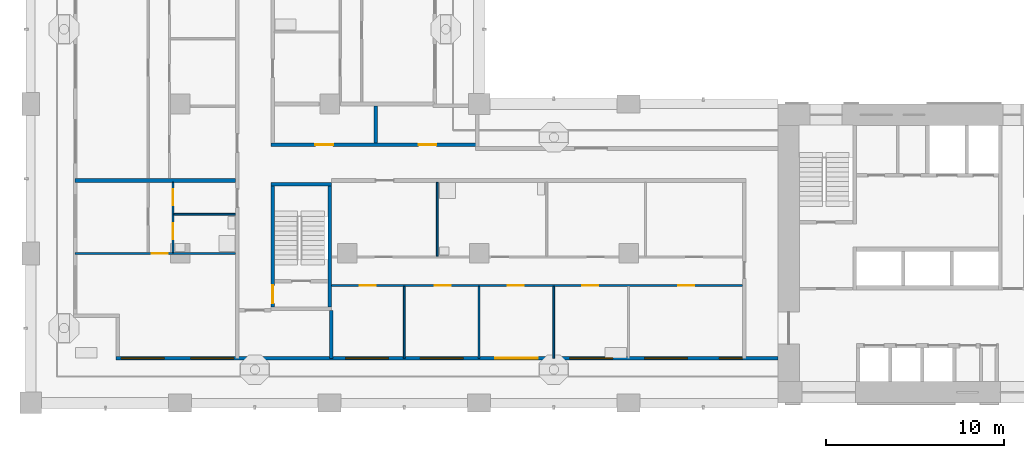
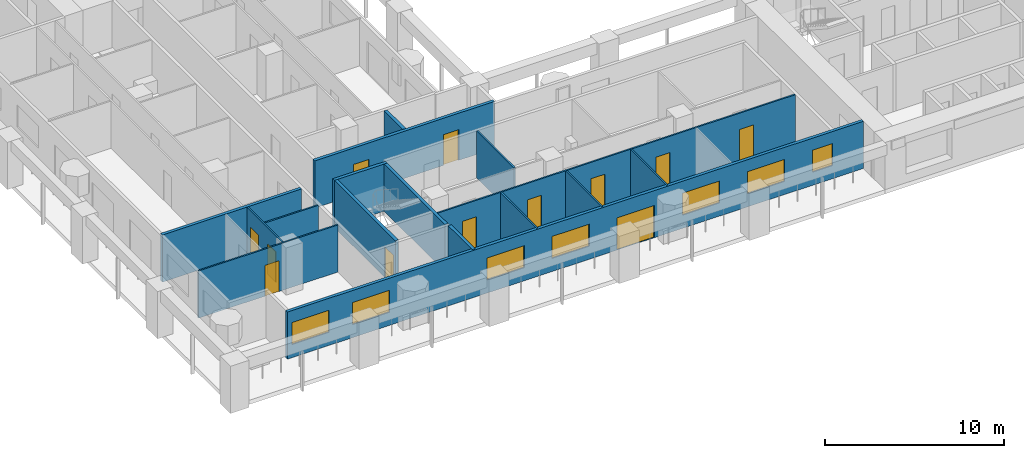
# One storey, part 2 of 18: 16 walls, 12 doors, 7 windows, 19 openings.
"""IFC4 building model written with IfcOpenShell, lengths in metres."""

from ifc_helpers import new_model, si_unit, direction, frame, frame_2d, origin, place, context, subcontext, project, spatial, rectangle, extrude, material, layer, layer_set, type_object, element, fill, save


model = new_model("IFC4")

# Units and contexts
model_context = context("Model", 3, precision=1e-05, world=origin(), true_north=direction((0.0, 1.0)))
body_context = subcontext(model_context, "Body", "Model", "MODEL_VIEW")
ifc_project = project(units=[si_unit("LENGTHUNIT", "METRE"), si_unit("AREAUNIT", "SQUARE_METRE"), si_unit("VOLUMEUNIT", "CUBIC_METRE"), si_unit("PLANEANGLEUNIT", "RADIAN"), si_unit("MASSUNIT", "GRAM", prefix="KILO")], contexts=[model_context])

# Site, building, storey
site_placement = place(None, origin())
site = spatial("IfcSite", under=ifc_project, at=site_placement, CompositionType="ELEMENT")
building_placement = place(site_placement, origin())
building = spatial("IfcBuilding", under=site, at=building_placement, Name="Vermilion Gate Residences", CompositionType="ELEMENT")
storey_placement = place(building_placement, frame((0.0, 0.0, 105.699951171875)))
storey = spatial("IfcBuildingStorey", under=building, at=storey_placement, Name="L26", CompositionType="ELEMENT", Elevation=105.699951171875)

# Wall, openings, door, windows
ifc_material_1 = material(Name="Insulated steel stud wall with terracotta rainscreen", Category="masonry")
ifc_layer_1 = layer(ifc_material_1, 0.199951171875)
ifc_layer_set_1 = layer_set([ifc_layer_1], Name="EXTERNAL WALL 200 TERRACOTTA RAINSCREEN")
wall_type_1 = type_object("IfcWallType", Name="EXTERNAL WALL 200 TERRACOTTA RAINSCREEN", PredefinedType="SOLIDWALL", material=ifc_layer_set_1)
wall_1_placement = place(storey_placement, frame((4.800048828125, 10.89990234375, 0.0), z_axis=(0.0, 0.0, 1.0), x_axis=(1.0, 0.0, 0.0)))
wall_1 = element("IfcWall", 1, at=wall_1_placement, inside=storey, type_object=wall_type_1, Name="External wall", PredefinedType="SOLIDWALL", context=body_context, shape_type="SweptSolid", body=[
    extrude(rectangle(XDim=37.199951171875, YDim=0.199951171875, at=frame_2d((18.60009765625, 0.0))), origin(), (0.0, 0.0, 1.0), 3.219970703125),
])
opening_1_placement = place(wall_1_placement, frame((0.300048828125, 0.0, 0.89990234375)))
opening_1 = element("IfcOpeningElement", 2, at=opening_1_placement, cuts=wall_1, Name="Opening WE26012", PredefinedType="OPENING", context=body_context, shape_type="SweptSolid", body=[
    extrude(rectangle(XDim=2.39990234375, YDim=1.5, at=frame_2d((1.199951171875, 0.75))), frame((0.0, 0.10986328125, 0.0), z_axis=(0.0, -1.0, 0.0), x_axis=(1.0, 0.0, 0.0)), (0.0, 0.0, 1.0), 0.219970703125),
])
opening_2_placement = place(wall_1_placement, frame((4.199951171875, 0.0, 0.89990234375)))
opening_2 = element("IfcOpeningElement", 3, at=opening_2_placement, cuts=wall_1, Name="Opening WE26013", PredefinedType="OPENING", context=body_context, shape_type="SweptSolid", body=[
    extrude(rectangle(XDim=2.39990234375, YDim=1.5, at=frame_2d((1.199951171875, 0.75))), frame((0.0, 0.10986328125, 0.0), z_axis=(0.0, -1.0, 0.0), x_axis=(1.0, 0.0, 0.0)), (0.0, 0.0, 1.0), 0.219970703125),
])
opening_3_placement = place(wall_1_placement, frame((12.89990234375, 0.0, 0.89990234375)))
opening_3 = element("IfcOpeningElement", 4, at=opening_3_placement, cuts=wall_1, Name="Opening WE26014", PredefinedType="OPENING", context=body_context, shape_type="SweptSolid", body=[
    extrude(rectangle(XDim=2.39990234375, YDim=1.5, at=frame_2d((1.199951171875, 0.75))), frame((0.0, 0.10986328125, 0.0), z_axis=(0.0, -1.0, 0.0), x_axis=(1.0, 0.0, 0.0)), (0.0, 0.0, 1.0), 0.219970703125),
])
opening_4_placement = place(wall_1_placement, frame((17.10009765625, 0.0, 0.89990234375)))
opening_4 = element("IfcOpeningElement", 5, at=opening_4_placement, cuts=wall_1, Name="Opening WE26015", PredefinedType="OPENING", context=body_context, shape_type="SweptSolid", body=[
    extrude(rectangle(XDim=2.39990234375, YDim=1.5, at=frame_2d((1.199951171875, 0.75))), frame((0.0, 0.10986328125, 0.0), z_axis=(0.0, -1.0, 0.0), x_axis=(1.0, 0.0, 0.0)), (0.0, 0.0, 1.0), 0.219970703125),
])
opening_5_placement = place(wall_1_placement, frame((21.300048828125, 0.0, 0.0)))
opening_5 = element("IfcOpeningElement", 6, at=opening_5_placement, cuts=wall_1, Name="Opening DE26016", PredefinedType="OPENING", context=body_context, shape_type="SweptSolid", body=[
    extrude(rectangle(XDim=2.39990234375, YDim=2.199951171875, at=frame_2d((1.199951171875, 1.10009765625))), frame((0.0, 0.10986328125, 0.0), z_axis=(0.0, -1.0, 0.0), x_axis=(1.0, 0.0, 0.0)), (0.0, 0.0, 1.0), 0.219970703125),
])
opening_6_placement = place(wall_1_placement, frame((25.5, 0.0, 0.89990234375)))
opening_6 = element("IfcOpeningElement", 7, at=opening_6_placement, cuts=wall_1, Name="Opening WE26017", PredefinedType="OPENING", context=body_context, shape_type="SweptSolid", body=[
    extrude(rectangle(XDim=2.39990234375, YDim=1.5, at=frame_2d((1.199951171875, 0.75))), frame((0.0, 0.10986328125, 0.0), z_axis=(0.0, -1.0, 0.0), x_axis=(1.0, 0.0, 0.0)), (0.0, 0.0, 1.0), 0.219970703125),
])
opening_7_placement = place(wall_1_placement, frame((29.699951171875, 0.0, 0.89990234375)))
opening_7 = element("IfcOpeningElement", 8, at=opening_7_placement, cuts=wall_1, Name="Opening WE26018", PredefinedType="OPENING", context=body_context, shape_type="SweptSolid", body=[
    extrude(rectangle(XDim=2.39990234375, YDim=1.5, at=frame_2d((1.199951171875, 0.75))), frame((0.0, 0.10986328125, 0.0), z_axis=(0.0, -1.0, 0.0), x_axis=(1.0, 0.0, 0.0)), (0.0, 0.0, 1.0), 0.219970703125),
])
opening_8_placement = place(wall_1_placement, frame((33.89990234375, 0.0, 0.89990234375)))
opening_8 = element("IfcOpeningElement", 9, at=opening_8_placement, cuts=wall_1, Name="Opening WE26019", PredefinedType="OPENING", context=body_context, shape_type="SweptSolid", body=[
    extrude(rectangle(XDim=1.300048828125, YDim=1.5, at=frame_2d((0.64990234375, 0.75))), frame((0.0, 0.10986328125, 0.0), z_axis=(0.0, -1.0, 0.0), x_axis=(1.0, 0.0, 0.0)), (0.0, 0.0, 1.0), 0.219970703125),
])
ifc_material_2 = material(Name="Aluminium and clear glass", Category="aluminium")
door_type_1 = type_object("IfcDoorType", Name="SLIDING GLAZED DOOR 2400 X 2200", OperationType="DOUBLE_DOOR_SLIDING", PredefinedType="DOOR", material=ifc_material_2)
door_1_placement = place(opening_5_placement, origin())
door_1 = element("IfcDoor", 10, at=door_1_placement, inside=storey, type_object=door_type_1, Name="Loggia sliding door", OperationType="DOUBLE_DOOR_SLIDING", OverallHeight=2.199951171875, OverallWidth=2.39990234375, PredefinedType="DOOR", context=body_context, shape_type="SweptSolid", body=[
    extrude(rectangle(XDim=2.39990234375, YDim=2.199951171875, at=frame_2d((1.199951171875, 1.10009765625))), frame((0.0, 0.02490234375, 0.0), z_axis=(0.0, -1.0, 0.0), x_axis=(1.0, 0.0, 0.0)), (0.0, 0.0, 1.0), 0.050048828125),
])
fill(opening_5, door_1)
ifc_material_3 = material(Name="Aluminium and clear glass", Category="aluminium")
window_type_1 = type_object("IfcWindowType", Name="WINDOW 1300 X 1500", PartitioningType="SINGLE_PANEL", PredefinedType="WINDOW", material=ifc_material_3)
window_1_placement = place(opening_8_placement, origin())
window_1 = element("IfcWindow", 11, at=window_1_placement, inside=storey, type_object=window_type_1, Name="Window", OverallHeight=1.5, OverallWidth=1.300048828125, PartitioningType="SINGLE_PANEL", PredefinedType="WINDOW", context=body_context, shape_type="SweptSolid", body=[
    extrude(rectangle(XDim=1.300048828125, YDim=1.5, at=frame_2d((0.64990234375, 0.75))), frame((0.0, 0.030029296875, 0.0), z_axis=(0.0, -1.0, 0.0), x_axis=(1.0, 0.0, 0.0)), (0.0, 0.0, 1.0), 0.06005859375),
])
fill(opening_8, window_1)
ifc_material_4 = material(Name="Aluminium and clear glass", Category="aluminium")
window_type_2 = type_object("IfcWindowType", Name="WINDOW 2400 X 1500", PartitioningType="SINGLE_PANEL", PredefinedType="WINDOW", material=ifc_material_4)
window_2_placement = place(opening_1_placement, origin())
window_2 = element("IfcWindow", 12, at=window_2_placement, inside=storey, type_object=window_type_2, Name="Window", OverallHeight=1.5, OverallWidth=2.39990234375, PartitioningType="SINGLE_PANEL", PredefinedType="WINDOW", context=body_context, shape_type="SweptSolid", body=[
    extrude(rectangle(XDim=2.39990234375, YDim=1.5, at=frame_2d((1.199951171875, 0.75))), frame((0.0, 0.030029296875, 0.0), z_axis=(0.0, -1.0, 0.0), x_axis=(1.0, 0.0, 0.0)), (0.0, 0.0, 1.0), 0.06005859375),
])
fill(opening_1, window_2)
window_3_placement = place(opening_2_placement, origin())
window_3 = element("IfcWindow", 13, at=window_3_placement, inside=storey, type_object=window_type_2, Name="Window", OverallHeight=1.5, OverallWidth=2.39990234375, PartitioningType="SINGLE_PANEL", PredefinedType="WINDOW", context=body_context, shape_type="SweptSolid", body=[
    extrude(rectangle(XDim=2.39990234375, YDim=1.5, at=frame_2d((1.199951171875, 0.75))), frame((0.0, 0.030029296875, 0.0), z_axis=(0.0, -1.0, 0.0), x_axis=(1.0, 0.0, 0.0)), (0.0, 0.0, 1.0), 0.06005859375),
])
fill(opening_2, window_3)
window_4_placement = place(opening_3_placement, origin())
window_4 = element("IfcWindow", 14, at=window_4_placement, inside=storey, type_object=window_type_2, Name="Window", OverallHeight=1.5, OverallWidth=2.39990234375, PartitioningType="SINGLE_PANEL", PredefinedType="WINDOW", context=body_context, shape_type="SweptSolid", body=[
    extrude(rectangle(XDim=2.39990234375, YDim=1.5, at=frame_2d((1.199951171875, 0.75))), frame((0.0, 0.030029296875, 0.0), z_axis=(0.0, -1.0, 0.0), x_axis=(1.0, 0.0, 0.0)), (0.0, 0.0, 1.0), 0.06005859375),
])
fill(opening_3, window_4)
window_5_placement = place(opening_4_placement, origin())
window_5 = element("IfcWindow", 15, at=window_5_placement, inside=storey, type_object=window_type_2, Name="Window", OverallHeight=1.5, OverallWidth=2.39990234375, PartitioningType="SINGLE_PANEL", PredefinedType="WINDOW", context=body_context, shape_type="SweptSolid", body=[
    extrude(rectangle(XDim=2.39990234375, YDim=1.5, at=frame_2d((1.199951171875, 0.75))), frame((0.0, 0.030029296875, 0.0), z_axis=(0.0, -1.0, 0.0), x_axis=(1.0, 0.0, 0.0)), (0.0, 0.0, 1.0), 0.06005859375),
])
fill(opening_4, window_5)
window_6_placement = place(opening_6_placement, origin())
window_6 = element("IfcWindow", 16, at=window_6_placement, inside=storey, type_object=window_type_2, Name="Window", OverallHeight=1.5, OverallWidth=2.39990234375, PartitioningType="SINGLE_PANEL", PredefinedType="WINDOW", context=body_context, shape_type="SweptSolid", body=[
    extrude(rectangle(XDim=2.39990234375, YDim=1.5, at=frame_2d((1.199951171875, 0.75))), frame((0.0, 0.030029296875, 0.0), z_axis=(0.0, -1.0, 0.0), x_axis=(1.0, 0.0, 0.0)), (0.0, 0.0, 1.0), 0.06005859375),
])
fill(opening_6, window_6)
window_7_placement = place(opening_7_placement, origin())
window_7 = element("IfcWindow", 17, at=window_7_placement, inside=storey, type_object=window_type_2, Name="Window", OverallHeight=1.5, OverallWidth=2.39990234375, PartitioningType="SINGLE_PANEL", PredefinedType="WINDOW", context=body_context, shape_type="SweptSolid", body=[
    extrude(rectangle(XDim=2.39990234375, YDim=1.5, at=frame_2d((1.199951171875, 0.75))), frame((0.0, 0.030029296875, 0.0), z_axis=(0.0, -1.0, 0.0), x_axis=(1.0, 0.0, 0.0)), (0.0, 0.0, 1.0), 0.06005859375),
])
fill(opening_7, window_7)

# Wall, openings, doors
ifc_material_5 = material(Name="Plasterboard on steel studs", Category="steel")
ifc_layer_2 = layer(ifc_material_5, 0.10009765625)
ifc_layer_set_2 = layer_set([ifc_layer_2], Name="PARTITION 100")
wall_type_2 = type_object("IfcWallType", Name="PARTITION 100", PredefinedType="PARTITIONING", material=ifc_layer_set_2)
wall_2_placement = place(storey_placement, frame((16.89990234375, 15.0, 0.0), z_axis=(0.0, 0.0, 1.0), x_axis=(1.0, 0.0, 0.0)))
wall_2 = element("IfcWall", 18, at=wall_2_placement, inside=storey, type_object=wall_type_2, Name="Partition", PredefinedType="PARTITIONING", context=body_context, shape_type="SweptSolid", body=[
    extrude(rectangle(XDim=23.10009765625, YDim=0.10009765625, at=frame_2d((11.550048828125, 0.0))), origin(), (0.0, 0.0, 1.0), 3.219970703125),
])
opening_9_placement = place(wall_2_placement, frame((1.60009765625, 0.0, 0.0)))
opening_9 = element("IfcOpeningElement", 19, at=opening_9_placement, cuts=wall_2, Name="Opening DA25002", PredefinedType="OPENING", context=body_context, shape_type="SweptSolid", body=[
    extrude(rectangle(XDim=0.89990234375, YDim=2.10009765625, at=frame_2d((0.449951171875, 1.050048828125))), frame((0.0, 0.06005859375, 0.0), z_axis=(0.0, -1.0, 0.0), x_axis=(1.0, 0.0, 0.0)), (0.0, 0.0, 1.0), 0.1201171875),
])
opening_10_placement = place(wall_2_placement, frame((5.800048828125, 0.0, 0.0)))
opening_10 = element("IfcOpeningElement", 20, at=opening_10_placement, cuts=wall_2, Name="Opening DA25003", PredefinedType="OPENING", context=body_context, shape_type="SweptSolid", body=[
    extrude(rectangle(XDim=0.89990234375, YDim=2.10009765625, at=frame_2d((0.449951171875, 1.050048828125))), frame((0.0, 0.06005859375, 0.0), z_axis=(0.0, -1.0, 0.0), x_axis=(1.0, 0.0, 0.0)), (0.0, 0.0, 1.0), 0.1201171875),
])
opening_11_placement = place(wall_2_placement, frame((9.89990234375, 0.0, 0.0)))
opening_11 = element("IfcOpeningElement", 21, at=opening_11_placement, cuts=wall_2, Name="Opening DA25004", PredefinedType="OPENING", context=body_context, shape_type="SweptSolid", body=[
    extrude(rectangle(XDim=0.89990234375, YDim=2.10009765625, at=frame_2d((0.449951171875, 1.050048828125))), frame((0.0, 0.06005859375, 0.0), z_axis=(0.0, -1.0, 0.0), x_axis=(1.0, 0.0, 0.0)), (0.0, 0.0, 1.0), 0.1201171875),
])
opening_12_placement = place(wall_2_placement, frame((14.10009765625, 0.0, 0.0)))
opening_12 = element("IfcOpeningElement", 22, at=opening_12_placement, cuts=wall_2, Name="Opening DA25005", PredefinedType="OPENING", context=body_context, shape_type="SweptSolid", body=[
    extrude(rectangle(XDim=0.89990234375, YDim=2.10009765625, at=frame_2d((0.449951171875, 1.050048828125))), frame((0.0, 0.06005859375, 0.0), z_axis=(0.0, -1.0, 0.0), x_axis=(1.0, 0.0, 0.0)), (0.0, 0.0, 1.0), 0.1201171875),
])
opening_13_placement = place(wall_2_placement, frame((19.5, 0.0, 0.0)))
opening_13 = element("IfcOpeningElement", 23, at=opening_13_placement, cuts=wall_2, Name="Opening DA25006", PredefinedType="OPENING", context=body_context, shape_type="SweptSolid", body=[
    extrude(rectangle(XDim=0.89990234375, YDim=2.10009765625, at=frame_2d((0.449951171875, 1.050048828125))), frame((0.0, 0.06005859375, 0.0), z_axis=(0.0, -1.0, 0.0), x_axis=(1.0, 0.0, 0.0)), (0.0, 0.0, 1.0), 0.1201171875),
])
ifc_material_6 = material(Name="Timber", Category="wood")
door_type_2 = type_object("IfcDoorType", Name="INTERIOR DOOR 900 X 2100", OperationType="SINGLE_SWING_LEFT", PredefinedType="DOOR", material=ifc_material_6)
door_2_placement = place(opening_9_placement, frame((0.89990234375, 0.0, 0.0), z_axis=(0.0, 0.0, 1.0), x_axis=(-1.0, 0.0, 0.0)))
door_2 = element("IfcDoor", 24, at=door_2_placement, inside=storey, type_object=door_type_2, Name="Interior door", OperationType="SINGLE_SWING_LEFT", OverallHeight=2.10009765625, OverallWidth=0.89990234375, PredefinedType="DOOR", context=body_context, shape_type="SweptSolid", body=[
    extrude(rectangle(XDim=0.89990234375, YDim=2.10009765625, at=frame_2d((0.449951171875, 1.050048828125))), frame((0.0, 0.02490234375, 0.0), z_axis=(0.0, -1.0, 0.0), x_axis=(1.0, 0.0, 0.0)), (0.0, 0.0, 1.0), 0.050048828125),
])
fill(opening_9, door_2)
door_3_placement = place(opening_10_placement, frame((0.89990234375, 0.0, 0.0), z_axis=(0.0, 0.0, 1.0), x_axis=(-1.0, 0.0, 0.0)))
door_3 = element("IfcDoor", 25, at=door_3_placement, inside=storey, type_object=door_type_2, Name="Interior door", OperationType="SINGLE_SWING_LEFT", OverallHeight=2.10009765625, OverallWidth=0.89990234375, PredefinedType="DOOR", context=body_context, shape_type="SweptSolid", body=[
    extrude(rectangle(XDim=0.89990234375, YDim=2.10009765625, at=frame_2d((0.449951171875, 1.050048828125))), frame((0.0, 0.02490234375, 0.0), z_axis=(0.0, -1.0, 0.0), x_axis=(1.0, 0.0, 0.0)), (0.0, 0.0, 1.0), 0.050048828125),
])
fill(opening_10, door_3)
door_4_placement = place(opening_11_placement, frame((0.89990234375, 0.0, 0.0), z_axis=(0.0, 0.0, 1.0), x_axis=(-1.0, 0.0, 0.0)))
door_4 = element("IfcDoor", 26, at=door_4_placement, inside=storey, type_object=door_type_2, Name="Interior door", OperationType="SINGLE_SWING_RIGHT", OverallHeight=2.10009765625, OverallWidth=0.89990234375, PredefinedType="DOOR", context=body_context, shape_type="SweptSolid", body=[
    extrude(rectangle(XDim=0.89990234375, YDim=2.10009765625, at=frame_2d((0.449951171875, 1.050048828125))), frame((0.0, 0.02490234375, 0.0), z_axis=(0.0, -1.0, 0.0), x_axis=(1.0, 0.0, 0.0)), (0.0, 0.0, 1.0), 0.050048828125),
])
fill(opening_11, door_4)
door_5_placement = place(opening_12_placement, frame((0.89990234375, 0.0, 0.0), z_axis=(0.0, 0.0, 1.0), x_axis=(-1.0, 0.0, 0.0)))
door_5 = element("IfcDoor", 27, at=door_5_placement, inside=storey, type_object=door_type_2, Name="Interior door", OperationType="SINGLE_SWING_RIGHT", OverallHeight=2.10009765625, OverallWidth=0.89990234375, PredefinedType="DOOR", context=body_context, shape_type="SweptSolid", body=[
    extrude(rectangle(XDim=0.89990234375, YDim=2.10009765625, at=frame_2d((0.449951171875, 1.050048828125))), frame((0.0, 0.02490234375, 0.0), z_axis=(0.0, -1.0, 0.0), x_axis=(1.0, 0.0, 0.0)), (0.0, 0.0, 1.0), 0.050048828125),
])
fill(opening_12, door_5)
door_6_placement = place(opening_13_placement, frame((0.89990234375, 0.0, 0.0), z_axis=(0.0, 0.0, 1.0), x_axis=(-1.0, 0.0, 0.0)))
door_6 = element("IfcDoor", 28, at=door_6_placement, inside=storey, type_object=door_type_2, Name="Interior door", OperationType="SINGLE_SWING_LEFT", OverallHeight=2.10009765625, OverallWidth=0.89990234375, PredefinedType="DOOR", context=body_context, shape_type="SweptSolid", body=[
    extrude(rectangle(XDim=0.89990234375, YDim=2.10009765625, at=frame_2d((0.449951171875, 1.050048828125))), frame((0.0, 0.02490234375, 0.0), z_axis=(0.0, -1.0, 0.0), x_axis=(1.0, 0.0, 0.0)), (0.0, 0.0, 1.0), 0.050048828125),
])
fill(opening_13, door_6)

# Wall, opening, door
wall_3_placement = place(storey_placement, frame((2.5, 16.800048828125, 0.0), z_axis=(0.0, 0.0, 1.0), x_axis=(1.0, 0.0, 0.0)))
wall_3 = element("IfcWall", 29, at=wall_3_placement, inside=storey, type_object=wall_type_2, Name="Partition", PredefinedType="PARTITIONING", context=body_context, shape_type="SweptSolid", body=[
    extrude(rectangle(XDim=9.0, YDim=0.10009765625, at=frame_2d((4.5, 0.0))), origin(), (0.0, 0.0, 1.0), 3.219970703125),
])
opening_14_placement = place(wall_3_placement, frame((4.300048828125, 0.0, 0.0)))
opening_14 = element("IfcOpeningElement", 30, at=opening_14_placement, cuts=wall_3, Name="Opening DA25011", PredefinedType="OPENING", context=body_context, shape_type="SweptSolid", body=[
    extrude(rectangle(XDim=0.89990234375, YDim=2.10009765625, at=frame_2d((0.449951171875, 1.050048828125))), frame((0.0, 0.06005859375, 0.0), z_axis=(0.0, -1.0, 0.0), x_axis=(1.0, 0.0, 0.0)), (0.0, 0.0, 1.0), 0.1201171875),
])
door_7_placement = place(opening_14_placement, frame((0.89990234375, 0.0, 0.0), z_axis=(0.0, 0.0, 1.0), x_axis=(-1.0, 0.0, 0.0)))
door_7 = element("IfcDoor", 31, at=door_7_placement, inside=storey, type_object=door_type_2, Name="Interior door", OperationType="SINGLE_SWING_LEFT", OverallHeight=2.10009765625, OverallWidth=0.89990234375, PredefinedType="DOOR", context=body_context, shape_type="SweptSolid", body=[
    extrude(rectangle(XDim=0.89990234375, YDim=2.10009765625, at=frame_2d((0.449951171875, 1.050048828125))), frame((0.0, 0.02490234375, 0.0), z_axis=(0.0, -1.0, 0.0), x_axis=(1.0, 0.0, 0.0)), (0.0, 0.0, 1.0), 0.050048828125),
])
fill(opening_14, door_7)

# Wall
wall_4_placement = place(storey_placement, frame((8.050048828125, 19.0, 0.0), z_axis=(0.0, 0.0, 1.0), x_axis=(1.0, 0.0, 0.0)))
element("IfcWall", 32, at=wall_4_placement, inside=storey, type_object=wall_type_2, Name="Partition", PredefinedType="PARTITIONING", context=body_context, shape_type="SweptSolid", body=[
    extrude(rectangle(XDim=3.449951171875, YDim=0.10009765625, at=frame_2d((1.72509765625, 0.0))), origin(), (0.0, 0.0, 1.0), 3.219970703125),
])

# Wall, openings, doors
wall_5_placement = place(storey_placement, frame((8.0, 16.85009765625, 0.0), z_axis=(0.0, 0.0, 1.0), x_axis=(0.0, 1.0, 0.0)))
wall_5 = element("IfcWall", 33, at=wall_5_placement, inside=storey, type_object=wall_type_2, Name="Partition", PredefinedType="PARTITIONING", context=body_context, shape_type="SweptSolid", body=[
    extrude(rectangle(XDim=3.949951171875, YDim=0.10009765625, at=frame_2d((1.97509765625, 0.0))), origin(), (0.0, 0.0, 1.0), 3.219970703125),
])
opening_15_placement = place(wall_5_placement, frame((2.64990234375, 0.0, 0.0)))
opening_15 = element("IfcOpeningElement", 34, at=opening_15_placement, cuts=wall_5, Name="Opening DA25029", PredefinedType="OPENING", context=body_context, shape_type="SweptSolid", body=[
    extrude(rectangle(XDim=0.89990234375, YDim=2.10009765625, at=frame_2d((0.449951171875, 1.050048828125))), frame((0.0, 0.06005859375, 0.0), z_axis=(0.0, -1.0, 0.0), x_axis=(1.0, 0.0, 0.0)), (0.0, 0.0, 1.0), 0.1201171875),
])
opening_16_placement = place(wall_5_placement, frame((0.75, 0.0, 0.0)))
opening_16 = element("IfcOpeningElement", 35, at=opening_16_placement, cuts=wall_5, Name="Opening DA25030", PredefinedType="OPENING", context=body_context, shape_type="SweptSolid", body=[
    extrude(rectangle(XDim=0.89990234375, YDim=2.10009765625, at=frame_2d((0.449951171875, 1.050048828125))), frame((0.0, 0.06005859375, 0.0), z_axis=(0.0, -1.0, 0.0), x_axis=(1.0, 0.0, 0.0)), (0.0, 0.0, 1.0), 0.1201171875),
])
door_8_placement = place(opening_15_placement, origin())
door_8 = element("IfcDoor", 36, at=door_8_placement, inside=storey, type_object=door_type_2, Name="Interior door", OperationType="SINGLE_SWING_RIGHT", OverallHeight=2.10009765625, OverallWidth=0.89990234375, PredefinedType="DOOR", context=body_context, shape_type="SweptSolid", body=[
    extrude(rectangle(XDim=0.89990234375, YDim=2.10009765625, at=frame_2d((0.449951171875, 1.050048828125))), frame((0.0, 0.02490234375, 0.0), z_axis=(0.0, -1.0, 0.0), x_axis=(1.0, 0.0, 0.0)), (0.0, 0.0, 1.0), 0.050048828125),
])
fill(opening_15, door_8)
door_9_placement = place(opening_16_placement, frame((0.89990234375, 0.0, 0.0), z_axis=(0.0, 0.0, 1.0), x_axis=(-1.0, 0.0, 0.0)))
door_9 = element("IfcDoor", 37, at=door_9_placement, inside=storey, type_object=door_type_2, Name="Interior door", OperationType="SINGLE_SWING_RIGHT", OverallHeight=2.10009765625, OverallWidth=0.89990234375, PredefinedType="DOOR", context=body_context, shape_type="SweptSolid", body=[
    extrude(rectangle(XDim=0.89990234375, YDim=2.10009765625, at=frame_2d((0.449951171875, 1.050048828125))), frame((0.0, 0.02490234375, 0.0), z_axis=(0.0, -1.0, 0.0), x_axis=(1.0, 0.0, 0.0)), (0.0, 0.0, 1.0), 0.050048828125),
])
fill(opening_16, door_9)

# Walls
wall_6_placement = place(storey_placement, frame((21.0, 10.89990234375, 0.0), z_axis=(0.0, 0.0, 1.0), x_axis=(0.0, 1.0, 0.0)))
element("IfcWall", 38, at=wall_6_placement, inside=storey, type_object=wall_type_2, Name="Partition", PredefinedType="PARTITIONING", context=body_context, shape_type="SweptSolid", body=[
    extrude(rectangle(XDim=4.050048828125, YDim=0.10009765625, at=frame_2d((2.02490234375, 0.0))), origin(), (0.0, 0.0, 1.0), 3.219970703125),
])
wall_7_placement = place(storey_placement, frame((22.85009765625, 16.64990234375, 0.0), z_axis=(0.0, 0.0, 1.0), x_axis=(0.0, 1.0, 0.0)))
element("IfcWall", 39, at=wall_7_placement, inside=storey, type_object=wall_type_2, Name="Partition", PredefinedType="PARTITIONING", context=body_context, shape_type="SweptSolid", body=[
    extrude(rectangle(XDim=4.150146484375, YDim=0.10009765625, at=frame_2d((2.0751953125, 0.0))), origin(), (0.0, 0.0, 1.0), 3.219970703125),
])
for number, where, z_axis, x_axis, name in (
    (40, (25.199951171875, 10.89990234375, 0.0), (0.0, 0.0, 1.0), (0.0, 1.0, 0.0), "Partition"),
    (41, (29.39990234375, 10.89990234375, 0.0), (0.0, 0.0, 1.0), (0.0, 1.0, 0.0), "Partition"),
):
    element("IfcWall", number, at=place(storey_placement, frame(where, z_axis=z_axis, x_axis=x_axis)), inside=storey, type_object=wall_type_2, Name=name, PredefinedType="PARTITIONING", context=body_context, shape_type="SweptSolid", body=[
        extrude(rectangle(XDim=4.050048828125, YDim=0.10009765625, at=frame_2d((2.02490234375, 0.0))), origin(), (0.0, 0.0, 1.0), 3.219970703125),
    ])
ifc_material_7 = material(Name="Fire-rated plasterboard on steel studs", Category="steel")
ifc_layer_3 = layer(ifc_material_7, 0.199951171875)
ifc_layer_set_3 = layer_set([ifc_layer_3], Name="PARTY WALL 200 EI 120")
wall_type_3 = type_object("IfcWallType", Name="PARTY WALL 200 EI 120", PredefinedType="PARTITIONING", material=ifc_layer_set_3)
wall_8_placement = place(storey_placement, frame((2.5, 20.89990234375, 0.0), z_axis=(0.0, 0.0, 1.0), x_axis=(1.0, 0.0, 0.0)))
element("IfcWall", 42, at=wall_8_placement, inside=storey, type_object=wall_type_3, Name="Party and corridor wall", PredefinedType="PARTITIONING", context=body_context, shape_type="SweptSolid", body=[
    extrude(rectangle(XDim=9.0, YDim=0.199951171875, at=frame_2d((4.5, 0.0))), origin(), (0.0, 0.0, 1.0), 3.219970703125),
])

# Wall, openings, doors
wall_9_placement = place(storey_placement, frame((13.5, 22.89990234375, 0.0), z_axis=(0.0, 0.0, 1.0), x_axis=(1.0, 0.0, 0.0)))
wall_9 = element("IfcWall", 43, at=wall_9_placement, inside=storey, type_object=wall_type_3, Name="Party and corridor wall", PredefinedType="PARTITIONING", context=body_context, shape_type="SweptSolid", body=[
    extrude(rectangle(XDim=11.60009765625, YDim=0.199951171875, at=frame_2d((5.800048828125, 0.0))), origin(), (0.0, 0.0, 1.0), 3.219970703125),
])
opening_17_placement = place(wall_9_placement, frame((2.5, 0.0, 0.0)))
opening_17 = element("IfcOpeningElement", 44, at=opening_17_placement, cuts=wall_9, Name="Opening DA25013", PredefinedType="OPENING", context=body_context, shape_type="SweptSolid", body=[
    extrude(rectangle(XDim=1.0, YDim=2.10009765625, at=frame_2d((0.5, 1.050048828125))), frame((0.0, 0.10986328125, 0.0), z_axis=(0.0, -1.0, 0.0), x_axis=(1.0, 0.0, 0.0)), (0.0, 0.0, 1.0), 0.219970703125),
])
opening_18_placement = place(wall_9_placement, frame((8.300048828125, 0.0, 0.0)))
opening_18 = element("IfcOpeningElement", 45, at=opening_18_placement, cuts=wall_9, Name="Opening DA25014", PredefinedType="OPENING", context=body_context, shape_type="SweptSolid", body=[
    extrude(rectangle(XDim=1.0, YDim=2.10009765625, at=frame_2d((0.5, 1.050048828125))), frame((0.0, 0.10986328125, 0.0), z_axis=(0.0, -1.0, 0.0), x_axis=(1.0, 0.0, 0.0)), (0.0, 0.0, 1.0), 0.219970703125),
])
ifc_material_8 = material(Name="Steel", Category="steel")
door_type_3 = type_object("IfcDoorType", Name="ENTRANCE DOOR 1000 X 2100 FD30", OperationType="SINGLE_SWING_LEFT", PredefinedType="DOOR", material=ifc_material_8)
door_10_placement = place(opening_17_placement, origin())
door_10 = element("IfcDoor", 46, at=door_10_placement, inside=storey, type_object=door_type_3, Name="Entrance door", OperationType="SINGLE_SWING_RIGHT", OverallHeight=2.10009765625, OverallWidth=1.0, PredefinedType="DOOR", context=body_context, shape_type="SweptSolid", body=[
    extrude(rectangle(XDim=1.0, YDim=2.10009765625, at=frame_2d((0.5, 1.050048828125))), frame((0.0, 0.02490234375, 0.0), z_axis=(0.0, -1.0, 0.0), x_axis=(1.0, 0.0, 0.0)), (0.0, 0.0, 1.0), 0.050048828125),
])
fill(opening_17, door_10)
door_11_placement = place(opening_18_placement, origin())
door_11 = element("IfcDoor", 47, at=door_11_placement, inside=storey, type_object=door_type_3, Name="Entrance door", OperationType="SINGLE_SWING_RIGHT", OverallHeight=2.10009765625, OverallWidth=1.0, PredefinedType="DOOR", context=body_context, shape_type="SweptSolid", body=[
    extrude(rectangle(XDim=1.0, YDim=2.10009765625, at=frame_2d((0.5, 1.050048828125))), frame((0.0, 0.02490234375, 0.0), z_axis=(0.0, -1.0, 0.0), x_axis=(1.0, 0.0, 0.0)), (0.0, 0.0, 1.0), 0.050048828125),
])
fill(opening_18, door_11)

# Walls
wall_10_placement = place(storey_placement, frame((16.89990234375, 10.89990234375, 0.0), z_axis=(0.0, 0.0, 1.0), x_axis=(0.0, 1.0, 0.0)))
element("IfcWall", 48, at=wall_10_placement, inside=storey, type_object=wall_type_3, Name="Party and corridor wall", PredefinedType="PARTITIONING", context=body_context, shape_type="SweptSolid", body=[
    extrude(rectangle(XDim=2.7001953125, YDim=0.199951171875, at=frame_2d((1.35009765625, 0.0))), origin(), (0.0, 0.0, 1.0), 3.219970703125),
])
wall_11_placement = place(storey_placement, frame((19.39990234375, 23.0, 0.0), z_axis=(0.0, 0.0, 1.0), x_axis=(0.0, 1.0, 0.0)))
element("IfcWall", 49, at=wall_11_placement, inside=storey, type_object=wall_type_3, Name="Party and corridor wall", PredefinedType="PARTITIONING", context=body_context, shape_type="SweptSolid", body=[
    extrude(rectangle(XDim=2.10009765625, YDim=0.199951171875, at=frame_2d((1.050048828125, 0.0))), origin(), (0.0, 0.0, 1.0), 3.219970703125),
])

# Wall, opening, door
ifc_material_9 = material(Name="Concrete C60", Category="concrete")
ifc_layer_4 = layer(ifc_material_9, 0.199951171875)
ifc_layer_set_4 = layer_set([ifc_layer_4], Name="RC CORE INTERNAL WALL 200 C60")
wall_type_4 = type_object("IfcWallType", Name="RC CORE INTERNAL WALL 200 C60", PredefinedType="SHEAR", material=ifc_layer_set_4)
wall_12_placement = place(storey_placement, frame((13.60009765625, 13.800048828125, 0.0), z_axis=(0.0, 0.0, 1.0), x_axis=(0.0, 1.0, 0.0)))
wall_12 = element("IfcWall", 50, at=wall_12_placement, inside=storey, type_object=wall_type_4, Name="Core internal wall C26-W", PredefinedType="SHEAR", context=body_context, shape_type="SweptSolid", body=[
    extrude(rectangle(XDim=6.800048828125, YDim=0.199951171875, at=frame_2d((3.39990234375, 0.0))), origin(), (0.0, 0.0, 1.0), 3.219970703125),
])
opening_19_placement = place(wall_12_placement, frame((0.199951171875, 0.0, 0.0)))
opening_19 = element("IfcOpeningElement", 51, at=opening_19_placement, cuts=wall_12, Name="Opening DK26201", PredefinedType="OPENING", context=body_context, shape_type="SweptSolid", body=[
    extrude(rectangle(XDim=1.0, YDim=2.10009765625, at=frame_2d((0.5, 1.050048828125))), frame((0.0, 0.10986328125, 0.0), z_axis=(0.0, -1.0, 0.0), x_axis=(1.0, 0.0, 0.0)), (0.0, 0.0, 1.0), 0.219970703125),
])
ifc_material_10 = material(Name="Steel", Category="steel")
door_type_4 = type_object("IfcDoorType", Name="FIRE DOOR FD60 1000 X 2100", OperationType="SINGLE_SWING_LEFT", PredefinedType="DOOR", material=ifc_material_10)
door_12_placement = place(opening_19_placement, frame((1.0, 0.0, 0.0), z_axis=(0.0, 0.0, 1.0), x_axis=(-1.0, 0.0, 0.0)))
door_12 = element("IfcDoor", 52, at=door_12_placement, inside=storey, type_object=door_type_4, Name="Stair vestibule door C26", OperationType="SINGLE_SWING_LEFT", OverallHeight=2.10009765625, OverallWidth=1.0, PredefinedType="DOOR", context=body_context, shape_type="SweptSolid", body=[
    extrude(rectangle(XDim=1.0, YDim=2.10009765625, at=frame_2d((0.5, 1.050048828125))), frame((0.0, 0.02490234375, 0.0), z_axis=(0.0, -1.0, 0.0), x_axis=(1.0, 0.0, 0.0)), (0.0, 0.0, 1.0), 0.050048828125),
])
fill(opening_19, door_12)

# Walls
wall_13_placement = place(storey_placement, frame((16.800048828125, 13.800048828125, 0.0), z_axis=(0.0, 0.0, 1.0), x_axis=(0.0, 1.0, 0.0)))
element("IfcWall", 53, at=wall_13_placement, inside=storey, type_object=wall_type_4, Name="Core internal wall C26-E", PredefinedType="SHEAR", context=body_context, shape_type="SweptSolid", body=[
    extrude(rectangle(XDim=6.800048828125, YDim=0.199951171875, at=frame_2d((3.39990234375, 0.0))), origin(), (0.0, 0.0, 1.0), 3.219970703125),
])
wall_14_placement = place(storey_placement, frame((13.5, 20.699951171875, 0.0), z_axis=(0.0, 0.0, 1.0), x_axis=(1.0, 0.0, 0.0)))
element("IfcWall", 54, at=wall_14_placement, inside=storey, type_object=wall_type_4, Name="Core internal wall C26-N", PredefinedType="SHEAR", context=body_context, shape_type="SweptSolid", body=[
    extrude(rectangle(XDim=3.39990234375, YDim=0.199951171875, at=frame_2d((1.699951171875, 0.0))), origin(), (0.0, 0.0, 1.0), 3.219970703125),
])

save(model, "model.ifc")
